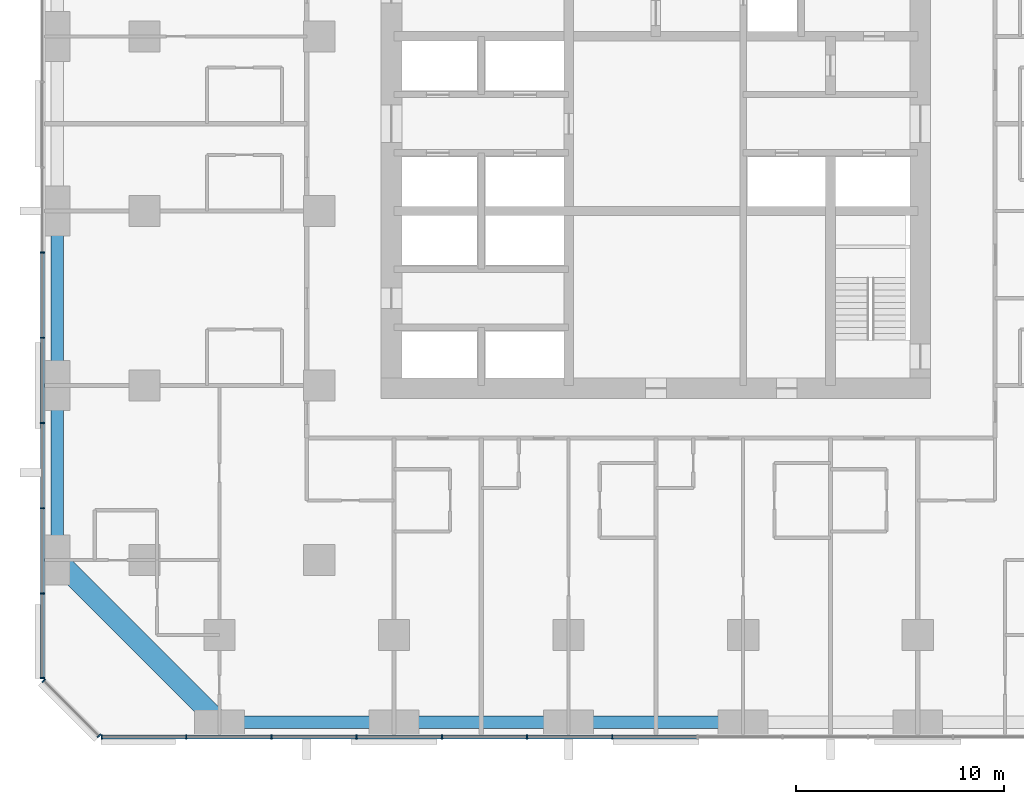
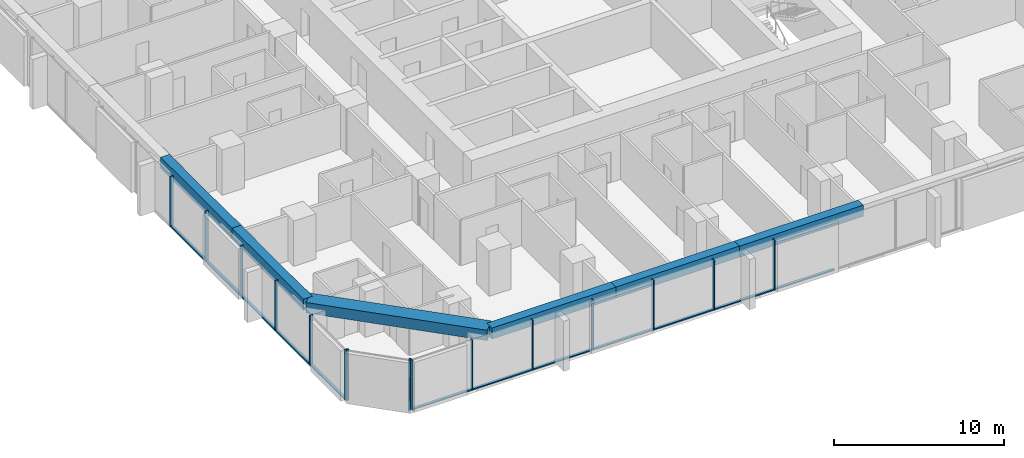
# One storey, part 2 of 14: 27 members, 6 beams, 3 elements without a shape of their own.
"""IFC4 building model written with IfcOpenShell, lengths in metres."""

from ifc_helpers import new_model, si_unit, direction, frame, origin, origin_2d, place, context, subcontext, project, spatial, rectangle, extrude, material, material_profile, profile_set, type_object, element, aggregate, save


model = new_model("IFC4")

# Units and contexts
model_context = context("Model", 3, precision=1e-05, world=origin(), true_north=direction((0.0, 1.0)))
body_context = subcontext(model_context, "Body", "Model", "MODEL_VIEW")
ifc_project = project(units=[si_unit("LENGTHUNIT", "METRE"), si_unit("AREAUNIT", "SQUARE_METRE"), si_unit("VOLUMEUNIT", "CUBIC_METRE"), si_unit("PLANEANGLEUNIT", "RADIAN"), si_unit("MASSUNIT", "GRAM", prefix="KILO")], contexts=[model_context])

# Site, building, storey
site_placement = place(None, origin())
site = spatial("IfcSite", under=ifc_project, at=site_placement, CompositionType="ELEMENT")
building_placement = place(site_placement, origin())
building = spatial("IfcBuilding", under=site, at=building_placement, Name="Dunama Terrace Hotel", CompositionType="ELEMENT")
storey_placement = place(building_placement, frame((0.0, 0.0, 140.39990234375)))
storey = spatial("IfcBuildingStorey", under=building, at=storey_placement, Name="L36", CompositionType="ELEMENT", Elevation=140.39990234375)

# Curtain wall, members
ifc_material_1 = material(Name="Aluminium curtain wall system", Category="aluminium")
curtain_wall_type = type_object("IfcCurtainWallType", Name="Unitised fritted glass wall CW-B", PredefinedType="NOTDEFINED", material=ifc_material_1)
curtain_wall_1_placement = place(storey_placement, origin())
curtain_wall_1 = element("IfcCurtainWall", 1, at=curtain_wall_1_placement, inside=storey, type_object=curtain_wall_type, Name="Unitised fritted glass wall CW-B L36", PredefinedType="NOTDEFINED")
ifc_material_2 = material(Name="Aluminium mullion", Category="aluminium")
ifc_material_profile_1 = material_profile(ifc_material_2, rectangle(XDim=0.06494140625, YDim=0.219970703125, at=origin_2d()), Name="CWB MULLION 65X220")
ifc_profile_set_1 = profile_set([ifc_material_profile_1], Name="Aluminium mullion")
member_type_1 = type_object("IfcMemberType", Name="CWB mullion 65x220", PredefinedType="MULLION", material=ifc_profile_set_1)
member_1_placement = place(storey_placement, frame((2.73291015625, -0.110107421875, 0.0), z_axis=(0.0, 0.0, 1.0), x_axis=(1.0, 0.0, 0.0)))
member_1 = element("IfcMember", 2, at=member_1_placement, type_object=member_type_1, Name="CWB mullion", PredefinedType="MULLION", context=body_context, shape_type="SweptSolid", body=[
    extrude(rectangle(XDim=0.06494140625, YDim=0.219970703125, at=origin_2d()), origin(), (0.0, 0.0, 1.0), 3.60009765625),
])
member_2_placement = place(storey_placement, frame((6.800048828125, -0.110107421875, 0.0), z_axis=(0.0, 0.0, 1.0), x_axis=(1.0, 0.0, 0.0)))
member_2 = element("IfcMember", 3, at=member_2_placement, type_object=member_type_1, Name="CWB mullion", PredefinedType="MULLION", context=body_context, shape_type="SweptSolid", body=[
    extrude(rectangle(XDim=0.06494140625, YDim=0.219970703125, at=origin_2d()), origin(), (0.0, 0.0, 1.0), 3.60009765625),
])
member_3_placement = place(storey_placement, frame((10.89990234375, -0.110107421875, 0.0), z_axis=(0.0, 0.0, 1.0), x_axis=(1.0, 0.0, 0.0)))
member_3 = element("IfcMember", 4, at=member_3_placement, type_object=member_type_1, Name="CWB mullion", PredefinedType="MULLION", context=body_context, shape_type="SweptSolid", body=[
    extrude(rectangle(XDim=0.06494140625, YDim=0.219970703125, at=origin_2d()), origin(), (0.0, 0.0, 1.0), 3.60009765625),
])
member_4_placement = place(storey_placement, frame((15.0, -0.110107421875, 0.0), z_axis=(0.0, 0.0, 1.0), x_axis=(1.0, 0.0, 0.0)))
member_4 = element("IfcMember", 5, at=member_4_placement, type_object=member_type_1, Name="CWB mullion", PredefinedType="MULLION", context=body_context, shape_type="SweptSolid", body=[
    extrude(rectangle(XDim=0.06494140625, YDim=0.219970703125, at=origin_2d()), origin(), (0.0, 0.0, 1.0), 3.60009765625),
])
member_5_placement = place(storey_placement, frame((19.10009765625, -0.110107421875, 0.0), z_axis=(0.0, 0.0, 1.0), x_axis=(1.0, 0.0, 0.0)))
member_5 = element("IfcMember", 6, at=member_5_placement, type_object=member_type_1, Name="CWB mullion", PredefinedType="MULLION", context=body_context, shape_type="SweptSolid", body=[
    extrude(rectangle(XDim=0.06494140625, YDim=0.219970703125, at=origin_2d()), origin(), (0.0, 0.0, 1.0), 3.60009765625),
])
member_6_placement = place(storey_placement, frame((23.199951171875, -0.110107421875, 0.0), z_axis=(0.0, 0.0, 1.0), x_axis=(1.0, 0.0, 0.0)))
member_6 = element("IfcMember", 7, at=member_6_placement, type_object=member_type_1, Name="CWB mullion", PredefinedType="MULLION", context=body_context, shape_type="SweptSolid", body=[
    extrude(rectangle(XDim=0.06494140625, YDim=0.219970703125, at=origin_2d()), origin(), (0.0, 0.0, 1.0), 3.60009765625),
])
member_7_placement = place(storey_placement, frame((27.300048828125, -0.110107421875, 0.0), z_axis=(0.0, 0.0, 1.0), x_axis=(1.0, 0.0, 0.0)))
member_7 = element("IfcMember", 8, at=member_7_placement, type_object=member_type_1, Name="CWB mullion", PredefinedType="MULLION", context=body_context, shape_type="SweptSolid", body=[
    extrude(rectangle(XDim=0.06494140625, YDim=0.219970703125, at=origin_2d()), origin(), (0.0, 0.0, 1.0), 3.60009765625),
])

curtain_wall_2_placement = place(storey_placement, origin())
curtain_wall_2 = element("IfcCurtainWall", 9, at=curtain_wall_2_placement, inside=storey, type_object=curtain_wall_type, Name="Unitised fritted glass wall CW-B L36", PredefinedType="NOTDEFINED")
member_8_placement = place(storey_placement, frame((-0.110107421875, 23.199951171875, 0.0), z_axis=(0.0, 0.0, 1.0), x_axis=(0.0, -1.0, 0.0)))
member_8 = element("IfcMember", 10, at=member_8_placement, type_object=member_type_1, Name="CWB mullion", PredefinedType="MULLION", context=body_context, shape_type="SweptSolid", body=[
    extrude(rectangle(XDim=0.06494140625, YDim=0.219970703125, at=origin_2d()), origin(), (0.0, 0.0, 1.0), 3.60009765625),
])
member_9_placement = place(storey_placement, frame((-0.110107421875, 19.10009765625, 0.0), z_axis=(0.0, 0.0, 1.0), x_axis=(0.0, -1.0, 0.0)))
member_9 = element("IfcMember", 11, at=member_9_placement, type_object=member_type_1, Name="CWB mullion", PredefinedType="MULLION", context=body_context, shape_type="SweptSolid", body=[
    extrude(rectangle(XDim=0.06494140625, YDim=0.219970703125, at=origin_2d()), origin(), (0.0, 0.0, 1.0), 3.60009765625),
])
member_10_placement = place(storey_placement, frame((-0.110107421875, 15.0, 0.0), z_axis=(0.0, 0.0, 1.0), x_axis=(0.0, -1.0, 0.0)))
member_10 = element("IfcMember", 12, at=member_10_placement, type_object=member_type_1, Name="CWB mullion", PredefinedType="MULLION", context=body_context, shape_type="SweptSolid", body=[
    extrude(rectangle(XDim=0.06494140625, YDim=0.219970703125, at=origin_2d()), origin(), (0.0, 0.0, 1.0), 3.60009765625),
])
member_11_placement = place(storey_placement, frame((-0.110107421875, 10.89990234375, 0.0), z_axis=(0.0, 0.0, 1.0), x_axis=(0.0, -1.0, 0.0)))
member_11 = element("IfcMember", 13, at=member_11_placement, type_object=member_type_1, Name="CWB mullion", PredefinedType="MULLION", context=body_context, shape_type="SweptSolid", body=[
    extrude(rectangle(XDim=0.06494140625, YDim=0.219970703125, at=origin_2d()), origin(), (0.0, 0.0, 1.0), 3.60009765625),
])
member_12_placement = place(storey_placement, frame((-0.110107421875, 6.800048828125, 0.0), z_axis=(0.0, 0.0, 1.0), x_axis=(0.0, -1.0, 0.0)))
member_12 = element("IfcMember", 14, at=member_12_placement, type_object=member_type_1, Name="CWB mullion", PredefinedType="MULLION", context=body_context, shape_type="SweptSolid", body=[
    extrude(rectangle(XDim=0.06494140625, YDim=0.219970703125, at=origin_2d()), origin(), (0.0, 0.0, 1.0), 3.60009765625),
])
member_13_placement = place(storey_placement, frame((-0.110107421875, 2.73291015625, 0.0), z_axis=(0.0, 0.0, 1.0), x_axis=(0.0, -1.0, 0.0)))
member_13 = element("IfcMember", 15, at=member_13_placement, type_object=member_type_1, Name="CWB mullion", PredefinedType="MULLION", context=body_context, shape_type="SweptSolid", body=[
    extrude(rectangle(XDim=0.06494140625, YDim=0.219970703125, at=origin_2d()), origin(), (0.0, 0.0, 1.0), 3.60009765625),
])

curtain_wall_3_placement = place(storey_placement, origin())
curtain_wall_3 = element("IfcCurtainWall", 16, at=curtain_wall_3_placement, inside=storey, type_object=curtain_wall_type, Name="Unitised fritted glass wall CW-B L36", PredefinedType="NOTDEFINED")
member_14_placement = place(storey_placement, frame((-0.054931640625, 2.59912109375, 0.0), z_axis=(0.0, 0.0, 1.0), x_axis=(0.707106781187, -0.707106781187, 0.0)))
member_14 = element("IfcMember", 17, at=member_14_placement, type_object=member_type_1, Name="CWB mullion", PredefinedType="MULLION", context=body_context, shape_type="SweptSolid", body=[
    extrude(rectangle(XDim=0.06494140625, YDim=0.219970703125, at=origin_2d()), origin(), (0.0, 0.0, 1.0), 3.60009765625),
])
member_15_placement = place(storey_placement, frame((2.59912109375, -0.054931640625, 0.0), z_axis=(0.0, 0.0, 1.0), x_axis=(0.707106781187, -0.707106781187, 0.0)))
member_15 = element("IfcMember", 18, at=member_15_placement, type_object=member_type_1, Name="CWB mullion", PredefinedType="MULLION", context=body_context, shape_type="SweptSolid", body=[
    extrude(rectangle(XDim=0.06494140625, YDim=0.219970703125, at=origin_2d()), origin(), (0.0, 0.0, 1.0), 3.60009765625),
])
aggregate(curtain_wall_3, [member_14, member_15])

# Member
ifc_material_3 = material(Name="Aluminium transom", Category="aluminium")
ifc_material_profile_2 = material_profile(ifc_material_3, rectangle(XDim=0.179931640625, YDim=0.080078125, at=origin_2d()), Name="CWB TRANSOM 180X80")
ifc_profile_set_2 = profile_set([ifc_material_profile_2], Name="Aluminium transom")
member_type_2 = type_object("IfcMemberType", Name="CWB transom 180x80", PredefinedType="USERDEFINED", material=ifc_profile_set_2)
member_16_placement = place(storey_placement, frame((2.764892578125, -0.110107421875, 0.0400390625), z_axis=(1.0, 0.0, 0.0), x_axis=(0.0, 1.0, 0.0)))
member_16 = element("IfcMember", 19, at=member_16_placement, type_object=member_type_2, Name="CWB transom", ObjectType="TRANSOM", PredefinedType="USERDEFINED", context=body_context, shape_type="SweptSolid", body=[
    extrude(rectangle(XDim=0.179931640625, YDim=0.080078125, at=origin_2d()), origin(), (0.0, 0.0, 1.0), 4.003173828125),
])

member_17_placement = place(storey_placement, frame((6.83203125, -0.110107421875, 0.0400390625), z_axis=(1.0, 0.0, 0.0), x_axis=(0.0, 1.0, 0.0)))
member_17 = element("IfcMember", 20, at=member_17_placement, type_object=member_type_2, Name="CWB transom", ObjectType="TRANSOM", PredefinedType="USERDEFINED", context=body_context, shape_type="SweptSolid", body=[
    extrude(rectangle(XDim=0.179931640625, YDim=0.080078125, at=origin_2d()), origin(), (0.0, 0.0, 1.0), 4.034912109375),
])

member_18_placement = place(storey_placement, frame((10.93310546875, -0.110107421875, 0.0400390625), z_axis=(1.0, 0.0, 0.0), x_axis=(0.0, 1.0, 0.0)))
member_18 = element("IfcMember", 21, at=member_18_placement, type_object=member_type_2, Name="CWB transom", ObjectType="TRANSOM", PredefinedType="USERDEFINED", context=body_context, shape_type="SweptSolid", body=[
    extrude(rectangle(XDim=0.179931640625, YDim=0.080078125, at=origin_2d()), origin(), (0.0, 0.0, 1.0), 4.033935546875),
])

member_19_placement = place(storey_placement, frame((15.031982421875, -0.110107421875, 0.0400390625), z_axis=(1.0, 0.0, 0.0), x_axis=(0.0, 1.0, 0.0)))
member_19 = element("IfcMember", 22, at=member_19_placement, type_object=member_type_2, Name="CWB transom", ObjectType="TRANSOM", PredefinedType="USERDEFINED", context=body_context, shape_type="SweptSolid", body=[
    extrude(rectangle(XDim=0.179931640625, YDim=0.080078125, at=origin_2d()), origin(), (0.0, 0.0, 1.0), 4.034912109375),
])

member_20_placement = place(storey_placement, frame((19.132080078125, -0.110107421875, 0.0400390625), z_axis=(1.0, 0.0, 0.0), x_axis=(0.0, 1.0, 0.0)))
member_20 = element("IfcMember", 23, at=member_20_placement, type_object=member_type_2, Name="CWB transom", ObjectType="TRANSOM", PredefinedType="USERDEFINED", context=body_context, shape_type="SweptSolid", body=[
    extrude(rectangle(XDim=0.179931640625, YDim=0.080078125, at=origin_2d()), origin(), (0.0, 0.0, 1.0), 4.035888671875),
])

member_21_placement = place(storey_placement, frame((23.23193359375, -0.110107421875, 0.0400390625), z_axis=(1.0, 0.0, 0.0), x_axis=(0.0, 1.0, 0.0)))
member_21 = element("IfcMember", 24, at=member_21_placement, type_object=member_type_2, Name="CWB transom", ObjectType="TRANSOM", PredefinedType="USERDEFINED", context=body_context, shape_type="SweptSolid", body=[
    extrude(rectangle(XDim=0.179931640625, YDim=0.080078125, at=origin_2d()), origin(), (0.0, 0.0, 1.0), 4.03515625),
])

member_22_placement = place(storey_placement, frame((27.33203125, -0.110107421875, 0.0400390625), z_axis=(1.0, 0.0, 0.0), x_axis=(0.0, 1.0, 0.0)))
member_22 = element("IfcMember", 25, at=member_22_placement, type_object=member_type_2, Name="CWB transom", ObjectType="TRANSOM", PredefinedType="USERDEFINED", context=body_context, shape_type="SweptSolid", body=[
    extrude(rectangle(XDim=0.179931640625, YDim=0.080078125, at=origin_2d()), origin(), (0.0, 0.0, 1.0), 4.034912109375),
])

aggregate(curtain_wall_1, [member_1, member_2, member_3, member_4, member_5, member_6, member_7, member_16, member_17, member_18, member_19, member_20, member_21, member_22])

member_23_placement = place(storey_placement, frame((-0.110107421875, 23.16796875, 0.0400390625), z_axis=(0.0, -1.0, 0.0), x_axis=(1.0, 0.0, 0.0)))
member_23 = element("IfcMember", 26, at=member_23_placement, type_object=member_type_2, Name="CWB transom", ObjectType="TRANSOM", PredefinedType="USERDEFINED", context=body_context, shape_type="SweptSolid", body=[
    extrude(rectangle(XDim=0.179931640625, YDim=0.080078125, at=origin_2d()), origin(), (0.0, 0.0, 1.0), 4.034912109375),
])

member_24_placement = place(storey_placement, frame((-0.110107421875, 19.068115234375, 0.0400390625), z_axis=(0.0, -1.0, 0.0), x_axis=(1.0, 0.0, 0.0)))
member_24 = element("IfcMember", 27, at=member_24_placement, type_object=member_type_2, Name="CWB transom", ObjectType="TRANSOM", PredefinedType="USERDEFINED", context=body_context, shape_type="SweptSolid", body=[
    extrude(rectangle(XDim=0.179931640625, YDim=0.080078125, at=origin_2d()), origin(), (0.0, 0.0, 1.0), 4.0361328125),
])

member_25_placement = place(storey_placement, frame((-0.110107421875, 14.968017578125, 0.0400390625), z_axis=(0.0, -1.0, 0.0), x_axis=(1.0, 0.0, 0.0)))
member_25 = element("IfcMember", 28, at=member_25_placement, type_object=member_type_2, Name="CWB transom", ObjectType="TRANSOM", PredefinedType="USERDEFINED", context=body_context, shape_type="SweptSolid", body=[
    extrude(rectangle(XDim=0.179931640625, YDim=0.080078125, at=origin_2d()), origin(), (0.0, 0.0, 1.0), 4.0361328125),
])

member_26_placement = place(storey_placement, frame((-0.110107421875, 10.866943359375, 0.0400390625), z_axis=(0.0, -1.0, 0.0), x_axis=(1.0, 0.0, 0.0)))
member_26 = element("IfcMember", 29, at=member_26_placement, type_object=member_type_2, Name="CWB transom", ObjectType="TRANSOM", PredefinedType="USERDEFINED", context=body_context, shape_type="SweptSolid", body=[
    extrude(rectangle(XDim=0.179931640625, YDim=0.080078125, at=origin_2d()), origin(), (0.0, 0.0, 1.0), 4.033935546875),
])

member_27_placement = place(storey_placement, frame((-0.110107421875, 6.76806640625, 0.0400390625), z_axis=(0.0, -1.0, 0.0), x_axis=(1.0, 0.0, 0.0)))
member_27 = element("IfcMember", 30, at=member_27_placement, type_object=member_type_2, Name="CWB transom", ObjectType="TRANSOM", PredefinedType="USERDEFINED", context=body_context, shape_type="SweptSolid", body=[
    extrude(rectangle(XDim=0.179931640625, YDim=0.080078125, at=origin_2d()), origin(), (0.0, 0.0, 1.0), 4.003173828125),
])

aggregate(curtain_wall_2, [member_8, member_9, member_10, member_11, member_12, member_13, member_23, member_24, member_25, member_26, member_27])

# Beams
ifc_material_4 = material(Name="Concrete C50/60", Category="concrete")
ifc_material_profile_3 = material_profile(ifc_material_4, rectangle(XDim=1.0, YDim=0.75, at=origin_2d()), Name="RC 1000x750")
ifc_profile_set_3 = profile_set([ifc_material_profile_3], Name="Concrete C50/60")
beam_type_1 = type_object("IfcBeamType", Name="Edge beam RC 1000x750", PredefinedType="SPANDREL", material=ifc_profile_set_3)
beam_1_placement = place(storey_placement, frame((8.39990234375, 0.60009765625, 3.22509765625), z_axis=(-0.707106781187, 0.707106781187, 0.0), x_axis=(-0.707106781187, -0.707106781187, 0.0)))
element("IfcBeam", 31, at=beam_1_placement, inside=storey, type_object=beam_type_1, Name="Corner edge beam under L37", PredefinedType="SPANDREL", context=body_context, shape_type="SweptSolid", body=[
    extrude(rectangle(XDim=1.0, YDim=0.75, at=origin_2d()), origin(), (0.0, 0.0, 1.0), 11.030517578125),
])
ifc_material_5 = material(Name="Concrete C40/50", Category="concrete")
ifc_material_profile_4 = material_profile(ifc_material_5, rectangle(XDim=0.60009765625, YDim=0.800048828125, at=origin_2d()), Name="RC 600x800")
ifc_profile_set_4 = profile_set([ifc_material_profile_4], Name="Concrete C40/50")
beam_type_2 = type_object("IfcBeamType", Name="Edge beam RC 600x800", PredefinedType="SPANDREL", material=ifc_profile_set_4)
beam_2_placement = place(storey_placement, frame((0.60009765625, 8.39990234375, 3.2001953125), z_axis=(0.0, 1.0, 0.0), x_axis=(-1.0, 0.0, 0.0)))
element("IfcBeam", 32, at=beam_2_placement, inside=storey, type_object=beam_type_2, Name="Edge beam under L37", PredefinedType="SPANDREL", context=body_context, shape_type="SweptSolid", body=[
    extrude(rectangle(XDim=0.60009765625, YDim=0.800048828125, at=origin_2d()), origin(), (0.0, 0.0, 1.0), 8.400146484375),
])
beam_3_placement = place(storey_placement, frame((0.60009765625, 16.800048828125, 3.2001953125), z_axis=(0.0, 1.0, 0.0), x_axis=(-1.0, 0.0, 0.0)))
element("IfcBeam", 33, at=beam_3_placement, inside=storey, type_object=beam_type_2, Name="Edge beam under L37", PredefinedType="SPANDREL", context=body_context, shape_type="SweptSolid", body=[
    extrude(rectangle(XDim=0.60009765625, YDim=0.800048828125, at=origin_2d()), origin(), (0.0, 0.0, 1.0), 8.39990234375),
])
beam_4_placement = place(storey_placement, frame((8.39990234375, 0.60009765625, 3.2001953125), z_axis=(1.0, 0.0, 0.0), x_axis=(0.0, 1.0, 0.0)))
element("IfcBeam", 34, at=beam_4_placement, inside=storey, type_object=beam_type_2, Name="Edge beam under L37", PredefinedType="SPANDREL", context=body_context, shape_type="SweptSolid", body=[
    extrude(rectangle(XDim=0.60009765625, YDim=0.800048828125, at=origin_2d()), origin(), (0.0, 0.0, 1.0), 8.400146484375),
])
beam_5_placement = place(storey_placement, frame((16.800048828125, 0.60009765625, 3.2001953125), z_axis=(1.0, 0.0, 0.0), x_axis=(0.0, 1.0, 0.0)))
element("IfcBeam", 35, at=beam_5_placement, inside=storey, type_object=beam_type_2, Name="Edge beam under L37", PredefinedType="SPANDREL", context=body_context, shape_type="SweptSolid", body=[
    extrude(rectangle(XDim=0.60009765625, YDim=0.800048828125, at=origin_2d()), origin(), (0.0, 0.0, 1.0), 8.39990234375),
])
beam_6_placement = place(storey_placement, frame((25.199951171875, 0.60009765625, 3.2001953125), z_axis=(1.0, 0.0, 0.0), x_axis=(0.0, 1.0, 0.0)))
element("IfcBeam", 36, at=beam_6_placement, inside=storey, type_object=beam_type_2, Name="Edge beam under L37", PredefinedType="SPANDREL", context=body_context, shape_type="SweptSolid", body=[
    extrude(rectangle(XDim=0.60009765625, YDim=0.800048828125, at=origin_2d()), origin(), (0.0, 0.0, 1.0), 8.400146484375),
])

save(model, "model.ifc")
